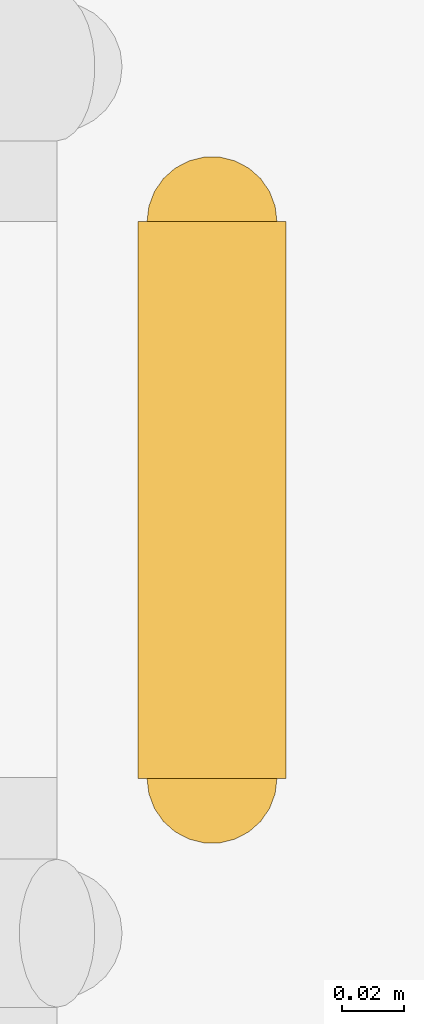
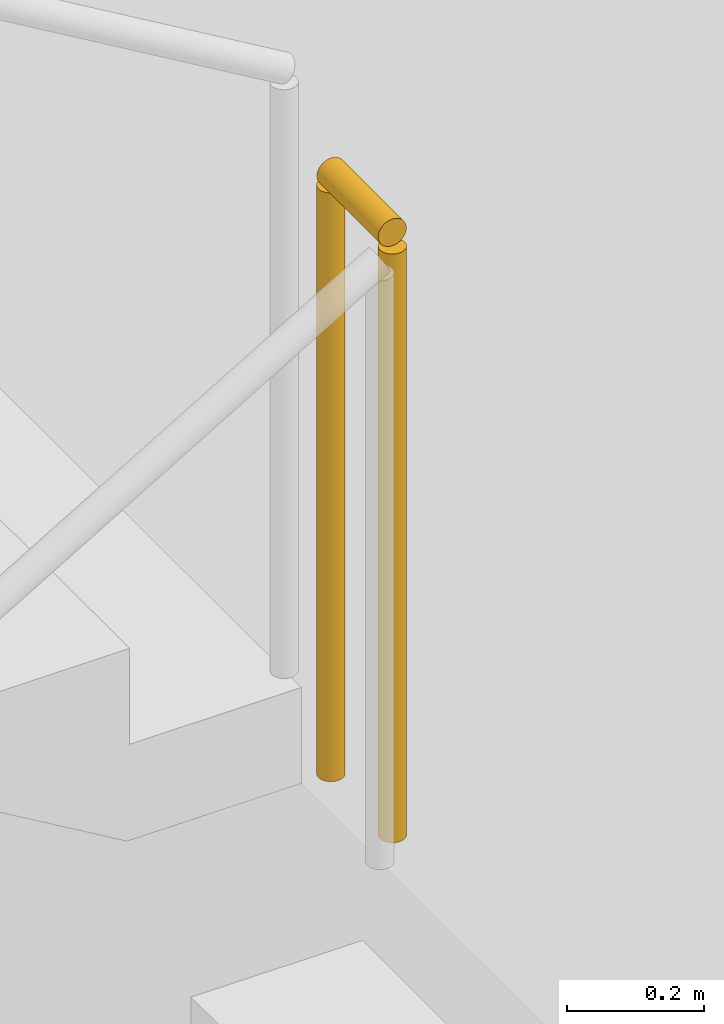
# One storey, part 94 of 101: 1 railing.
"""IFC4 building model written with IfcOpenShell, lengths in metres."""

from ifc_helpers import new_model, si_unit, derived_unit, direction, frame, origin, origin_2d, place, context, subcontext, project, spatial, circle, extrude, material, type_object, element, save


model = new_model("IFC4")

# Units and contexts
model_context = context("Model", 3, precision=1e-05, world=origin(), true_north=direction((0.0, 1.0)))
body_context = subcontext(model_context, "Body", "Model", "MODEL_VIEW")
ifc_project = project(units=[si_unit("LENGTHUNIT", "METRE"), si_unit("AREAUNIT", "SQUARE_METRE"), si_unit("VOLUMEUNIT", "CUBIC_METRE"), si_unit("PLANEANGLEUNIT", "RADIAN"), si_unit("MASSUNIT", "GRAM", prefix="KILO"), derived_unit("THERMALTRANSMITTANCEUNIT", [(si_unit("POWERUNIT", "WATT"), 1), (si_unit("LENGTHUNIT", "METRE"), -2), (si_unit("THERMODYNAMICTEMPERATUREUNIT", "KELVIN"), -1)])], contexts=[model_context])

# Site, building, storey
site_placement = place(None, origin())
site = spatial("IfcSite", under=ifc_project, at=site_placement, CompositionType="ELEMENT")
building_placement = place(site_placement, origin())
building = spatial("IfcBuilding", under=site, at=building_placement, Name="Keldorne Ridge Multi-Sports Centre", CompositionType="ELEMENT")
storey_placement = place(building_placement, origin())
storey = spatial("IfcBuildingStorey", under=building, at=storey_placement, Name="L00", CompositionType="ELEMENT", Elevation=0.0)

# Railing
ifc_material = material(Name="Laminated glass and stainless steel", Category="steel")
railing_type = type_object("IfcRailingType", Name="RLG-BL-01", PredefinedType="BALUSTRADE", material=ifc_material)
railing_placement = place(storey_placement, frame((38.719970703125, 76.949951171875, 2.39990234375)))
element("IfcRailing", 1, at=railing_placement, inside=storey, type_object=railing_type, Name="L00 ST-06 stair guard 2", PredefinedType="BALUSTRADE", context=body_context, shape_type="SweptSolid", body=[
    extrude(circle(Radius=0.02392578125, at=origin_2d()), frame((0.0, 0.0, 1.076171875), z_axis=(0.0, 1.0, 0.0), x_axis=(-1.0, 0.0, 0.0)), (0.0, 0.0, 1.0), 0.179931640625),
    extrude(circle(Radius=0.02099609375, at=origin_2d()), origin(), (0.0, 0.0, 1.0), 1.052001953125),
    extrude(circle(Radius=0.02099609375, at=origin_2d()), frame((0.0, 0.179931640625, 0.0)), (0.0, 0.0, 1.0), 1.052001953125),
])

save(model, "model.ifc")
